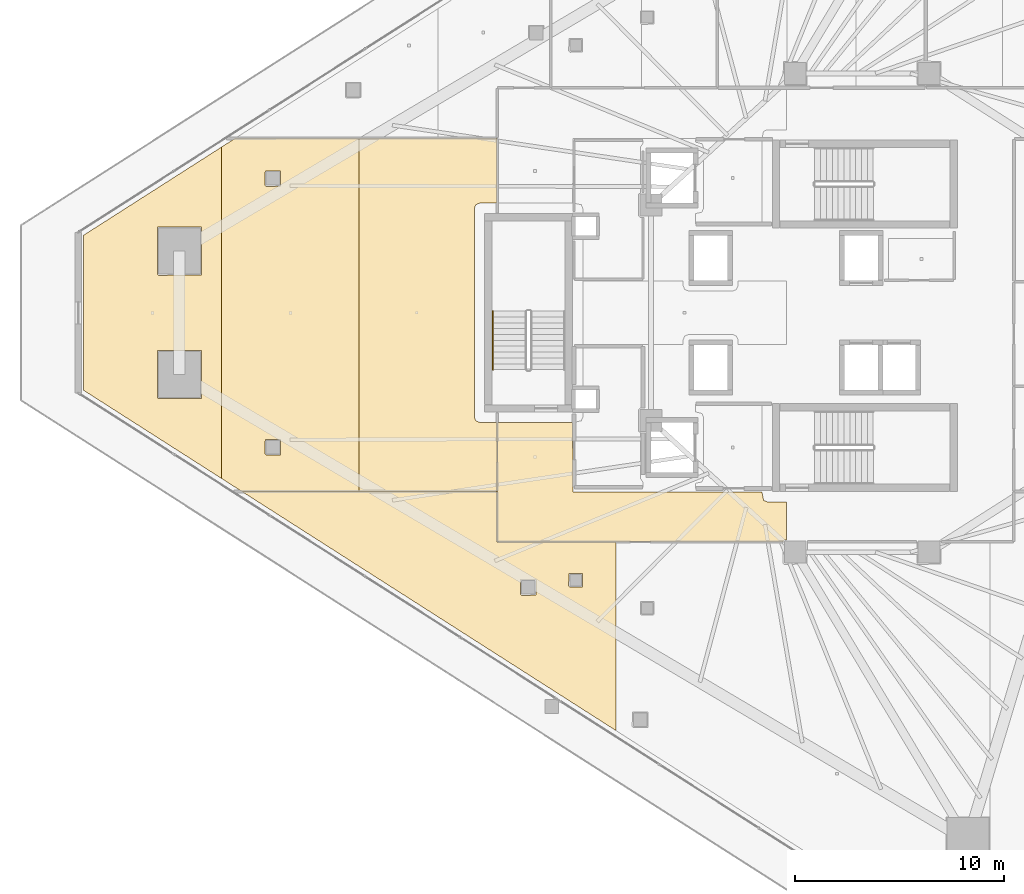
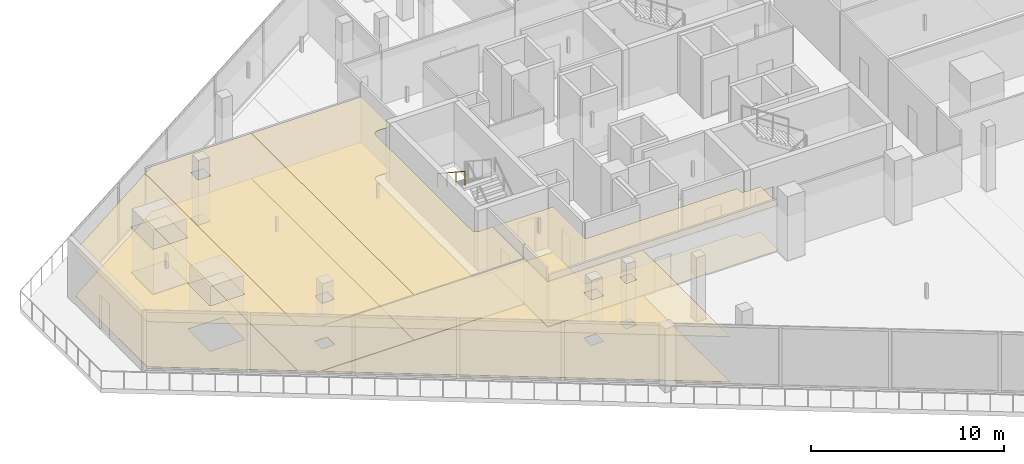
# One storey, part 29 of 35: 10 coverings, 1 railing.
"""IFC4 building model written with IfcOpenShell, lengths in metres."""

from ifc_helpers import new_model, si_unit, direction, frame, origin, origin_2d, place, context, subcontext, project, spatial, polyline, circle, outline, extrude, material, layer, layer_set, type_object, element, save


model = new_model("IFC4")

# Units and contexts
model_context = context("Model", 3, precision=1e-05, world=origin(), true_north=direction((0.0, 1.0)))
body_context = subcontext(model_context, "Body", "Model", "MODEL_VIEW")
ifc_project = project(units=[si_unit("LENGTHUNIT", "METRE"), si_unit("AREAUNIT", "SQUARE_METRE"), si_unit("VOLUMEUNIT", "CUBIC_METRE"), si_unit("PLANEANGLEUNIT", "RADIAN"), si_unit("MASSUNIT", "GRAM", prefix="KILO")], contexts=[model_context])

# Site, building, storey
site_placement = place(None, origin())
site = spatial("IfcSite", under=ifc_project, at=site_placement, CompositionType="ELEMENT")
building_placement = place(site_placement, origin())
building = spatial("IfcBuilding", under=site, at=building_placement, Name="Qorvath Tower", CompositionType="ELEMENT")
storey_placement = place(building_placement, frame((0.0, 0.0, 130.050048828125)))
storey = spatial("IfcBuildingStorey", under=building, at=storey_placement, Name="L29", CompositionType="ELEMENT", Elevation=130.050048828125)

# Coverings
ifc_material_1 = material(Name="Acoustic mineral fibre ceiling tile", Category="gypsum")
ifc_layer_1 = layer(ifc_material_1, 0.030029296875)
ifc_layer_set_1 = layer_set([ifc_layer_1], Name="COV-CEIL")
covering_type_1 = type_object("IfcCoveringType", Name="COV-CEIL", PredefinedType="CEILING", material=ifc_layer_set_1)
covering_1_placement = place(storey_placement, frame((0.0, 0.0, 2.849853515625)))
element("IfcCovering", 1, at=covering_1_placement, inside=storey, type_object=covering_type_1, Name="L29 Suspended Acoustic Ceiling 006", PredefinedType="CEILING", context=body_context, shape_type="SweptSolid", body=[
    extrude(outline(polyline([(-34.22509765625, -8.580078125), (-34.251220703125, -5.239990234375), (-37.844970703125, -5.239990234375), (-37.844970703125, -10.945068359375), (-24.18505859375, -10.945068359375), (-24.125, -10.864990234375), (-24.02001953125, -10.864990234375), (-24.02001953125, -9.0400390625), (-24.93994140625, -9.0400390625), (-25.11669921875, -8.966796875), (-25.18994140625, -8.57421875), (-34.22509765625, -8.580078125)])), origin(), (0.0, 0.0, 1.0), 0.030029296875),
])
covering_2_placement = place(storey_placement, frame((0.0, 0.0, 2.849853515625)))
element("IfcCovering", 2, at=covering_2_placement, inside=storey, type_object=covering_type_1, Name="L29 Suspended Acoustic Ceiling 022", PredefinedType="CEILING", context=body_context, shape_type="SweptSolid", body=[
    extrude(outline(polyline([(-32.165283203125, -19.98681640625), (-32.165283203125, -10.962890625), (-37.85791015625, -10.962890625), (-37.863037109375, -8.554931640625), (-50.052001953125, -8.554931640625), (-32.165283203125, -19.98681640625)]), holes=[polyline([(-34.439208984375, -13.0673828125), (-34.421630859375, -12.47509765625), (-33.786865234375, -12.47509765625), (-33.786865234375, -13.10986328125), (-34.379150390625, -13.12744140625), (-34.439208984375, -13.0673828125)]), polyline([(-36.749755859375, -13.46044921875), (-36.732177734375, -12.76806640625), (-35.997314453125, -12.76806640625), (-35.997314453125, -13.5029296875), (-36.689697265625, -13.5205078125), (-36.749755859375, -13.46044921875)])]), origin(), (0.0, 0.0, 1.0), 0.030029296875),
])
covering_3_placement = place(storey_placement, frame((0.0, 0.0, 2.849853515625)))
element("IfcCovering", 3, at=covering_3_placement, inside=storey, type_object=covering_type_1, Name="L29 Suspended Acoustic Ceiling 032", PredefinedType="CEILING", context=body_context, shape_type="SweptSolid", body=[
    extrude(outline(polyline([(-51.043701171875, -7.921142578125), (-51.043701171875, 7.921142578125), (-57.634033203125, 3.708984375), (-57.634033203125, -3.708984375), (-51.043701171875, -7.921142578125)]), holes=[polyline([(-54.109375, -4.05078125), (-54.091796875, -1.808349609375), (-52.007080078125, -1.808349609375), (-52.007080078125, -4.09326171875), (-54.04931640625, -4.11083984375), (-54.109375, -4.05078125)]), polyline([(-54.109375, 1.850830078125), (-54.091796875, 4.09326171875), (-52.007080078125, 4.09326171875), (-52.007080078125, 1.808349609375), (-54.04931640625, 1.790771484375), (-54.109375, 1.850830078125)])]), origin(), (0.0, 0.0, 1.0), 0.030029296875),
])
covering_4_placement = place(storey_placement, frame((0.0, 0.0, 2.849853515625)))
element("IfcCovering", 4, at=covering_4_placement, inside=storey, type_object=covering_type_1, Name="L29 Suspended Acoustic Ceiling 033", PredefinedType="CEILING", context=body_context, shape_type="SweptSolid", body=[
    extrude(outline(polyline([(-44.453369140625, -8.537109375), (-44.453369140625, 8.334228515625), (-50.401123046875, 8.331787109375), (-51.043701171875, 7.921142578125), (-51.043701171875, -7.921142578125), (-50.080078125, -8.537109375), (-44.453369140625, -8.537109375)]), holes=[polyline([(-48.96337890625, -6.74951171875), (-48.94580078125, -6.05712890625), (-48.2109375, -6.05712890625), (-48.2109375, -6.7919921875), (-48.9033203125, -6.8095703125), (-48.96337890625, -6.74951171875)]), polyline([(-48.96337890625, 6.099609375), (-48.94580078125, 6.7919921875), (-48.2109375, 6.7919921875), (-48.2109375, 6.05712890625), (-48.9033203125, 6.03955078125), (-48.96337890625, 6.099609375)])]), origin(), (0.0, 0.0, 1.0), 0.030029296875),
])
covering_5_placement = place(storey_placement, frame((0.0, 0.0, 2.849853515625)))
element("IfcCovering", 5, at=covering_5_placement, inside=storey, type_object=covering_type_1, Name="L29 Suspended Acoustic Ceiling 034", PredefinedType="CEILING", context=body_context, shape_type="SweptSolid", body=[
    extrude(outline(polyline([(-37.863037109375, 8.3369140625), (-44.453369140625, 8.334228515625), (-44.453369140625, -8.537109375), (-37.863037109375, -8.537109375), (-37.863037109375, -5.239990234375), (-38.699951171875, -5.239990234375), (-38.876708984375, -5.166748046875), (-38.949951171875, -4.989990234375), (-38.949951171875, 4.989990234375), (-38.876708984375, 5.166748046875), (-38.699951171875, 5.239990234375), (-37.863037109375, 5.239990234375), (-37.863037109375, 8.3369140625)])), origin(), (0.0, 0.0, 1.0), 0.030029296875),
])
ifc_material_2 = material(Name="Low-VOC modular carpet tile", Category="textile")
ifc_layer_2 = layer(ifc_material_2, 0.014892578125)
ifc_layer_set_2 = layer_set([ifc_layer_2], Name="COV-FLOOR-CPT")
covering_type_2 = type_object("IfcCoveringType", Name="COV-FLOOR-CPT", PredefinedType="FLOORING", material=ifc_layer_set_2)
covering_6_placement = place(storey_placement, origin())
element("IfcCovering", 6, at=covering_6_placement, inside=storey, type_object=covering_type_2, Name="L29 Floor Finish 022", PredefinedType="FLOORING", context=body_context, shape_type="SweptSolid", body=[
    extrude(outline(polyline([(-32.165283203125, -19.98681640625), (-32.165283203125, -10.962890625), (-37.85791015625, -10.962890625), (-37.863037109375, -8.554931640625), (-50.052001953125, -8.554931640625), (-32.165283203125, -19.98681640625)]), holes=[polyline([(-34.439208984375, -13.0673828125), (-34.421630859375, -12.47509765625), (-33.786865234375, -12.47509765625), (-33.786865234375, -13.10986328125), (-34.379150390625, -13.12744140625), (-34.439208984375, -13.0673828125)]), polyline([(-36.749755859375, -13.46044921875), (-36.732177734375, -12.76806640625), (-35.997314453125, -12.76806640625), (-35.997314453125, -13.5029296875), (-36.689697265625, -13.5205078125), (-36.749755859375, -13.46044921875)])]), origin(), (0.0, 0.0, 1.0), 0.014892578125),
])
covering_7_placement = place(storey_placement, origin())
element("IfcCovering", 7, at=covering_7_placement, inside=storey, type_object=covering_type_2, Name="L29 Floor Finish 032", PredefinedType="FLOORING", context=body_context, shape_type="SweptSolid", body=[
    extrude(outline(polyline([(-51.043701171875, -7.921142578125), (-51.043701171875, 7.921142578125), (-57.634033203125, 3.708984375), (-57.634033203125, -3.708984375), (-51.043701171875, -7.921142578125)]), holes=[polyline([(-54.109375, -4.05078125), (-54.091796875, -1.808349609375), (-52.007080078125, -1.808349609375), (-52.007080078125, -4.09326171875), (-54.04931640625, -4.11083984375), (-54.109375, -4.05078125)]), polyline([(-54.109375, 1.850830078125), (-54.091796875, 4.09326171875), (-52.007080078125, 4.09326171875), (-52.007080078125, 1.808349609375), (-54.04931640625, 1.790771484375), (-54.109375, 1.850830078125)])]), origin(), (0.0, 0.0, 1.0), 0.014892578125),
])
covering_8_placement = place(storey_placement, origin())
element("IfcCovering", 8, at=covering_8_placement, inside=storey, type_object=covering_type_2, Name="L29 Floor Finish 033", PredefinedType="FLOORING", context=body_context, shape_type="SweptSolid", body=[
    extrude(outline(polyline([(-44.453369140625, -8.537109375), (-44.453369140625, 8.334228515625), (-50.401123046875, 8.331787109375), (-51.043701171875, 7.921142578125), (-51.043701171875, -7.921142578125), (-50.080078125, -8.537109375), (-44.453369140625, -8.537109375)]), holes=[polyline([(-48.96337890625, -6.74951171875), (-48.94580078125, -6.05712890625), (-48.2109375, -6.05712890625), (-48.2109375, -6.7919921875), (-48.9033203125, -6.8095703125), (-48.96337890625, -6.74951171875)]), polyline([(-48.96337890625, 6.099609375), (-48.94580078125, 6.7919921875), (-48.2109375, 6.7919921875), (-48.2109375, 6.05712890625), (-48.9033203125, 6.03955078125), (-48.96337890625, 6.099609375)])]), origin(), (0.0, 0.0, 1.0), 0.014892578125),
])
covering_9_placement = place(storey_placement, origin())
element("IfcCovering", 9, at=covering_9_placement, inside=storey, type_object=covering_type_2, Name="L29 Floor Finish 034", PredefinedType="FLOORING", context=body_context, shape_type="SweptSolid", body=[
    extrude(outline(polyline([(-37.863037109375, 8.3369140625), (-44.453369140625, 8.334228515625), (-44.453369140625, -8.537109375), (-37.863037109375, -8.537109375), (-37.863037109375, -5.239990234375), (-38.699951171875, -5.239990234375), (-38.876708984375, -5.166748046875), (-38.949951171875, -4.989990234375), (-38.949951171875, 4.989990234375), (-38.876708984375, 5.166748046875), (-38.699951171875, 5.239990234375), (-37.863037109375, 5.239990234375), (-37.863037109375, 8.3369140625)])), origin(), (0.0, 0.0, 1.0), 0.014892578125),
])
ifc_material_3 = material(Name="Polished epoxy terrazzo flooring", Category="concrete")
ifc_layer_3 = layer(ifc_material_3, 0.02001953125)
ifc_layer_set_3 = layer_set([ifc_layer_3], Name="COV-FLOOR-TRZ")
covering_type_3 = type_object("IfcCoveringType", Name="COV-FLOOR-TRZ", PredefinedType="FLOORING", material=ifc_layer_set_3)
covering_10_placement = place(storey_placement, origin())
element("IfcCovering", 10, at=covering_10_placement, inside=storey, type_object=covering_type_3, Name="L29 Floor Finish 006", PredefinedType="FLOORING", context=body_context, shape_type="SweptSolid", body=[
    extrude(outline(polyline([(-34.22509765625, -8.580078125), (-34.251220703125, -5.239990234375), (-37.844970703125, -5.239990234375), (-37.844970703125, -10.945068359375), (-24.18505859375, -10.945068359375), (-24.125, -10.864990234375), (-24.02001953125, -10.864990234375), (-24.02001953125, -9.0400390625), (-24.93994140625, -9.0400390625), (-25.11669921875, -8.966796875), (-25.18994140625, -8.57421875), (-34.22509765625, -8.580078125)])), origin(), (0.0, 0.0, 1.0), 0.014892578125),
])

# Railing
ifc_material_4 = material(Name="Brushed stainless steel AISI 304", Category="steel")
railing_type = type_object("IfcRailingType", Name="RL-STR-HND", PredefinedType="HANDRAIL", material=ifc_material_4)
railing_placement = place(storey_placement, frame((-38.06005859375, 0.080078125, 2.208984375)))
element("IfcRailing", 11, at=railing_placement, inside=storey, type_object=railing_type, Name="L29 TS3 stair handrail 2", PredefinedType="HANDRAIL", context=body_context, shape_type="SweptSolid", body=[
    extrude(circle(Radius=0.02392578125, at=origin_2d()), frame((0.0, 0.0, 0.8759765625), z_axis=(0.0, -0.83556406348, 0.549393024911), x_axis=(1.0, 0.0, 0.0)), (0.0, 0.0, 1.0), 3.35107421875),
    extrude(circle(Radius=0.02099609375, at=origin_2d()), origin(), (0.0, 0.0, 1.0), 0.851806640625),
    extrude(circle(Radius=0.02099609375, at=origin_2d()), frame((0.0, -0.933349609375, 0.61376953125)), (0.0, 0.0, 1.0), 0.851806640625),
    extrude(circle(Radius=0.02099609375, at=origin_2d()), frame((0.0, -1.86669921875, 1.227294921875)), (0.0, 0.0, 1.0), 0.851806640625),
    extrude(circle(Radius=0.02099609375, at=origin_2d()), frame((0.0, -2.800048828125, 1.841064453125)), (0.0, 0.0, 1.0), 0.851806640625),
])

save(model, "model.ifc")
